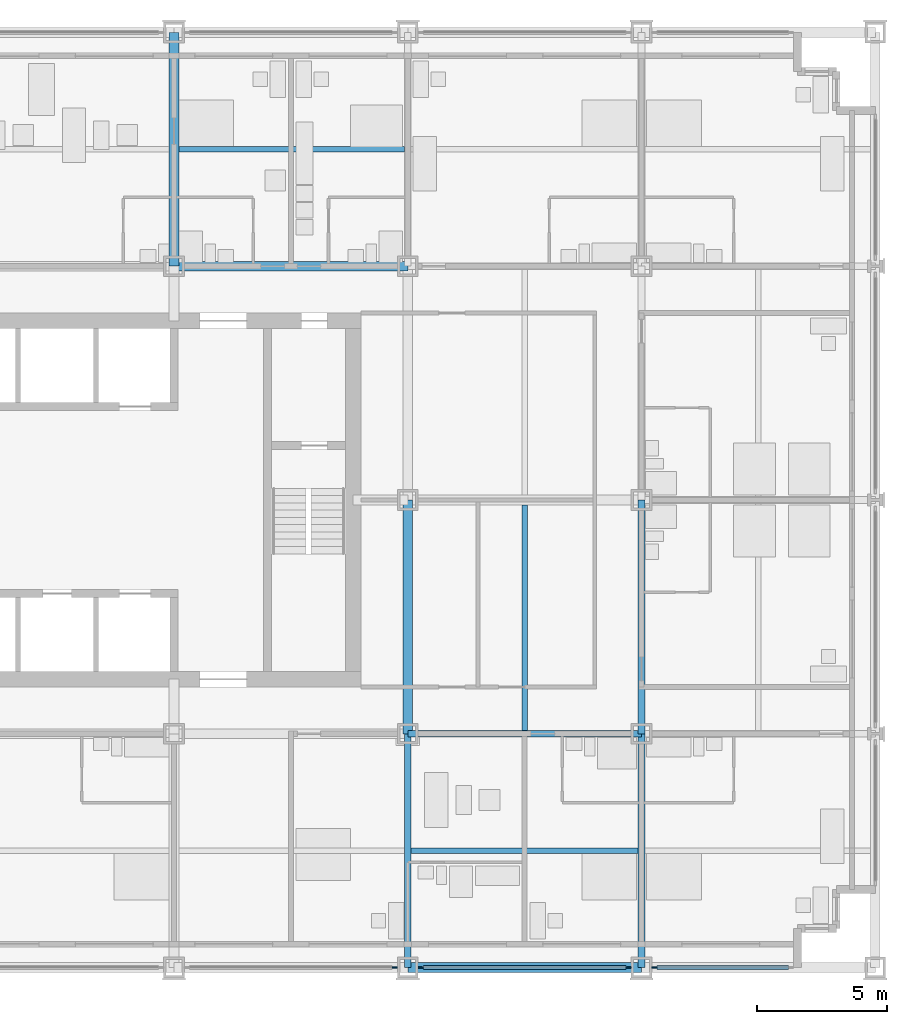
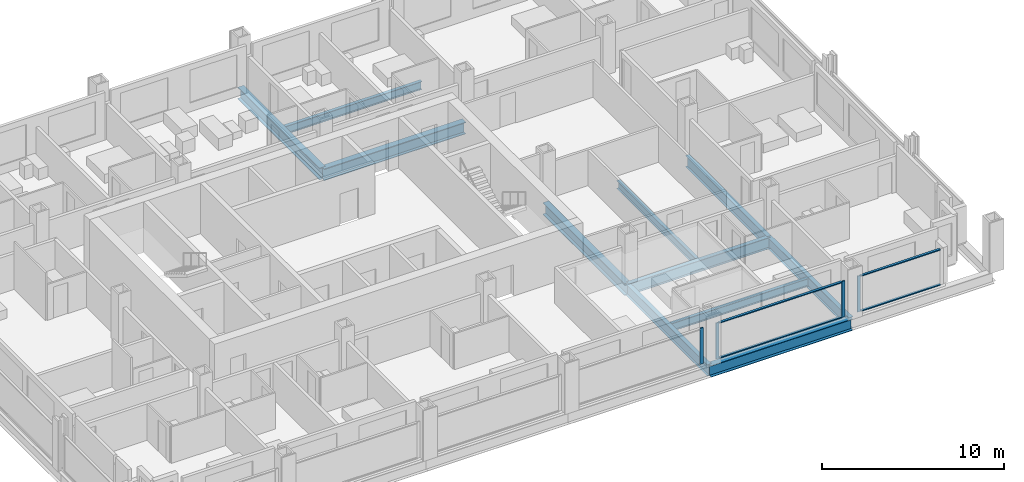
# One storey, part 5 of 18: 11 beams, 8 members, 3 elements without a shape of their own.
"""IFC4 building model written with IfcOpenShell, lengths in metres."""

import ifcopenshell
import ifcopenshell.guid

model = None  # the IFC model being written
_history = None  # IfcOwnerHistory: only IFC2X3 demands one
_inside = {}  # id of a spatial element -> (the spatial element, [elements in it])
_under = {}  # id of a project, library or spatial element -> (it, [spatial elements below it])
_declared = {}  # id of a project -> (the project, [libraries it declares])
_typed = {}  # id of a type object -> (the type object, [elements of that type])
_made_of = {}  # id of a material, layer set ... -> (it, [elements and type objects made of it])


def new_model(schema):
    """Start an empty IFC model of exactly this schema.

    Asked for "IFC4X3", IfcOpenShell would pick the latest addendum, in which some entities
    have other attributes; the version numbers below select the first issue.
    IFC2X3 requires an IfcOwnerHistory on every rooted entity: one is made here for all.
    """
    global model, _history
    if schema == "IFC4X3":
        model = ifcopenshell.file(schema_version=(4, 3, 0, 0))
    else:
        model = ifcopenshell.file(schema=schema)
    _inside.clear()
    _under.clear()
    _declared.clear()
    _typed.clear()
    _made_of.clear()
    _history = None
    if model.schema == "IFC2X3":
        org = make("IfcOrganization", Name="unknown")
        user = make(
            "IfcPersonAndOrganization",
            ThePerson=make("IfcPerson", FamilyName="unknown"),
            TheOrganization=org,
        )
        app = make(
            "IfcApplication",
            ApplicationDeveloper=org,
            Version="unknown",
            ApplicationFullName="unknown",
            ApplicationIdentifier="unknown",
        )
        _history = make(
            "IfcOwnerHistory",
            OwningUser=user,
            OwningApplication=app,
            ChangeAction="ADDED",
            CreationDate=0,
        )
    return model


def make(cls, **values):
    """One entity of the class cls with the attributes given. An attribute that is None is left unset."""
    return model.create_entity(
        cls, **{name: value for name, value in values.items() if value is not None}
    )


def rooted(cls, **values):
    """An entity with a GlobalId (a new one), such as an element, a storey or a relation."""
    return make(cls, GlobalId=ifcopenshell.guid.new(), OwnerHistory=_history, **values)


def si_unit(unit_type, name, prefix=None):
    """IfcSIUnit, for example si_unit("LENGTHUNIT", "METRE", prefix="MILLI")."""
    return make("IfcSIUnit", UnitType=unit_type, Prefix=prefix, Name=name)


def assignment(units):
    """IfcUnitAssignment: the units of a project."""
    return None if units is None else make("IfcUnitAssignment", Units=units)


def point(xyz):
    """IfcCartesianPoint."""
    return None if xyz is None else make("IfcCartesianPoint", Coordinates=xyz)


def direction(xyz):
    """IfcDirection."""
    return None if xyz is None else make("IfcDirection", DirectionRatios=xyz)


def frame(location, z_axis=None, x_axis=None):
    """IfcAxis2Placement3D, a coordinate frame: its origin and axes. An axis left out is left unset."""
    return make(
        "IfcAxis2Placement3D",
        Location=point(location),
        Axis=direction(z_axis),
        RefDirection=direction(x_axis),
    )


def frame_2d(location, x_axis=None):
    """IfcAxis2Placement2D, a coordinate frame in the plane: its origin and x axis."""
    return make(
        "IfcAxis2Placement2D", Location=point(location), RefDirection=direction(x_axis)
    )


def origin():
    """The frame at (0, 0, 0) with its axes left unset."""
    return frame((0.0, 0.0, 0.0))


def origin_2d():
    """The frame at (0, 0) in the plane with its x axis left unset."""
    return frame_2d((0.0, 0.0))


def place(relative_to, where):
    """IfcLocalPlacement: puts the frame where relative to a parent placement (None: the world)."""
    return make(
        "IfcLocalPlacement", PlacementRelTo=relative_to, RelativePlacement=where
    )


def context(
    kind, dimensions, precision=None, world=None, true_north=None, identifier=None
):
    """IfcGeometricRepresentationContext, for example the 3D "Model" context."""
    return make(
        "IfcGeometricRepresentationContext",
        ContextIdentifier=identifier,
        ContextType=kind,
        CoordinateSpaceDimension=dimensions,
        Precision=precision,
        WorldCoordinateSystem=world,
        TrueNorth=true_north,
    )


def subcontext(parent, identifier, kind, view, scale=None):
    """IfcGeometricRepresentationSubContext, for example "Body" below "Model"."""
    return make(
        "IfcGeometricRepresentationSubContext",
        ContextIdentifier=identifier,
        ContextType=kind,
        ParentContext=parent,
        TargetScale=scale,
        TargetView=view,
    )


def project(units=None, contexts=None):
    """IfcProject with its units and contexts."""
    return rooted(
        "IfcProject",
        Name="project",
        RepresentationContexts=contexts,
        UnitsInContext=assignment(units),
    )


def spatial(cls, under=None, at=None, **own):
    """A site, building, storey or space (cls), placed at a placement, below another one or the project."""
    s = rooted(cls, ObjectPlacement=at, **own)
    if under is not None:
        _under.setdefault(under.id(), (under, []))[1].append(s)
    return s


def profile(cls, at=None, kind="AREA", **sizes):
    """A parametric profile (cls). Its sizes go by their IFC names, for example OverallWidth=200.0."""
    return make(cls, ProfileType=kind, Position=at, **sizes)


def rectangle(**sizes):
    """IfcRectangleProfileDef."""
    return profile("IfcRectangleProfileDef", **sizes)


def i_section(**sizes):
    """IfcIShapeProfileDef."""
    return profile("IfcIShapeProfileDef", **sizes)


def extrude(swept, where, along, depth):
    """IfcExtrudedAreaSolid: the profile swept, set in the frame where, extruded along a direction by depth."""
    return make(
        "IfcExtrudedAreaSolid",
        SweptArea=swept,
        Position=where,
        ExtrudedDirection=direction(along),
        Depth=depth,
    )


def shape(context_of_items, identifier, shape_type, items):
    """IfcShapeRepresentation: the items that make up one representation, for example the "Body"."""
    return make(
        "IfcShapeRepresentation",
        ContextOfItems=context_of_items,
        RepresentationIdentifier=identifier,
        RepresentationType=shape_type,
        Items=items,
    )


def material(Name=None, Category=None):
    """IfcMaterial."""
    return make("IfcMaterial", Name=Name, Category=Category)


def material_profile(
    of_material, cross_section, Name=None, Category=None, Priority=None
):
    """IfcMaterialProfile: a cross section and its material."""
    return make(
        "IfcMaterialProfile",
        Name=Name,
        Material=of_material,
        Profile=cross_section,
        Priority=Priority,
        Category=Category,
    )


def profile_set(profiles, Name=None, composite=None):
    """IfcMaterialProfileSet."""
    return make(
        "IfcMaterialProfileSet",
        Name=Name,
        MaterialProfiles=profiles,
        CompositeProfile=composite,
    )


def made_of(thing, what):
    """Note that an element or type object is made of a material, layer set ...; save() writes the relation."""
    if what is not None:
        _made_of.setdefault(what.id(), (what, []))[1].append(thing)
    return thing


def type_object(cls, material=None, **own):
    """A type object (cls), such as IfcWallType, which elements share."""
    return made_of(rooted(cls, **own), material)


def element(
    cls,
    number,
    at=None,
    inside=None,
    cuts=None,
    type_object=None,
    material=None,
    context=None,
    identifier="Body",
    shape_type=None,
    held_by="IfcProductDefinitionShape",
    body=None,
    shapes=None,
    **own,
):
    """One element of the class cls, such as IfcWall. Its Tag is "e" and its number.

    at: its placement. inside: the storey or other place that contains it. cuts: it is an
    opening in that element (IfcRelVoidsElement). A single representation is given by context,
    identifier, shape_type and body (its items); several are given by shapes. held_by: the class
    of the entity that holds the representations. save() writes the other relations.
    """
    e = rooted(cls, Tag="e%d" % number, ObjectPlacement=at, **own)
    if body is not None:
        shapes = [shape(context, identifier, shape_type, body)]
    if shapes is not None:
        e.Representation = make(held_by, Representations=shapes)
    if inside is not None:
        _inside.setdefault(inside.id(), (inside, []))[1].append(e)
    if cuts is not None:
        rooted(
            "IfcRelVoidsElement", RelatingBuildingElement=cuts, RelatedOpeningElement=e
        )
    if type_object is not None:
        _typed.setdefault(type_object.id(), (type_object, []))[1].append(e)
    return made_of(e, material)


def aggregate(whole, parts):
    """IfcRelAggregates: a whole, such as a stair, and the parts it consists of."""
    return rooted("IfcRelAggregates", RelatingObject=whole, RelatedObjects=parts)


def save(model, path):
    """Write the relations noted so far, then the file.

    IfcRelAggregates (storeys below a building ...), IfcRelContainedInSpatialStructure (elements
    in a storey), IfcRelDefinesByType, IfcRelAssociatesMaterial and IfcRelDeclares: one each for
    every whole, place, type object, material and project.
    """
    for whole, parts in _under.values():
        aggregate(whole, parts)
    for where, things in _inside.values():
        rooted(
            "IfcRelContainedInSpatialStructure",
            RelatedElements=things,
            RelatingStructure=where,
        )
    for kind, things in _typed.values():
        rooted("IfcRelDefinesByType", RelatedObjects=things, RelatingType=kind)
    for what, things in _made_of.values():
        rooted("IfcRelAssociatesMaterial", RelatedObjects=things, RelatingMaterial=what)
    for by, libraries in _declared.values():
        rooted("IfcRelDeclares", RelatingContext=by, RelatedDefinitions=libraries)
    model.write(path)


model = new_model("IFC4")

# Units and contexts
model_context = context("Model", 3, precision=1e-05, world=origin(), true_north=direction((0.0, 1.0)))
body_context = subcontext(model_context, "Body", "Model", "MODEL_VIEW")
ifc_project = project(units=[si_unit("LENGTHUNIT", "METRE"), si_unit("AREAUNIT", "SQUARE_METRE"), si_unit("VOLUMEUNIT", "CUBIC_METRE"), si_unit("PLANEANGLEUNIT", "RADIAN"), si_unit("MASSUNIT", "GRAM", prefix="KILO")], contexts=[model_context])

# Site, building, storey
site_placement = place(None, origin())
site = spatial("IfcSite", under=ifc_project, at=site_placement, CompositionType="ELEMENT")
building_placement = place(site_placement, origin())
building = spatial("IfcBuilding", under=site, at=building_placement, Name="Loomwork Tower", CompositionType="ELEMENT")
storey_placement = place(building_placement, frame((0.0, 0.0, 31.39990234375)))
storey = spatial("IfcBuildingStorey", under=building, at=storey_placement, Name="L06", CompositionType="ELEMENT", Elevation=31.39990234375)

# Beams
ifc_material_1 = material(Name="Steel ASTM A992", Category="steel")
ifc_material_profile_1 = material_profile(ifc_material_1, i_section(OverallWidth=0.383544921875, OverallDepth=0.794921875, WebThickness=0.02099609375, FlangeThickness=0.0380859375, at=origin_2d()), Name="W30x235")
ifc_profile_set_1 = profile_set([ifc_material_profile_1], Name="Steel ASTM A992")
beam_type_1 = type_object("IfcBeamType", Name="CORE FLANK GIRDER W30x235", PredefinedType="BEAM", material=ifc_profile_set_1)
for number, where, z_axis, x_axis, name in (
    (1, (27.0, 27.0, -0.597412109375), (1.0, 0.0, 0.0), (0.0, 1.0, 0.0), "Core Flank Girder G/5-G/6 L06"),
    (2, (27.0, 27.0, -0.597412109375), (0.0, 1.0, 0.0), (-1.0, 0.0, 0.0), "Core Flank Girder G/5-H/5 L06"),
    (3, (36.0, 9.0, -0.597412109375), (0.0, 1.0, 0.0), (-1.0, 0.0, 0.0), "Core Flank Girder E/6-F/6 L06"),
):
    element("IfcBeam", number, at=place(storey_placement, frame(where, z_axis=z_axis, x_axis=x_axis)), inside=storey, type_object=beam_type_1, Name=name, PredefinedType="BEAM", context=body_context, shape_type="SweptSolid", body=[
        extrude(i_section(OverallWidth=0.383544921875, OverallDepth=0.794921875, WebThickness=0.02099609375, FlangeThickness=0.0380859375, at=origin_2d()), origin(), (0.0, 0.0, 1.0), 9.0),
    ])
ifc_material_2 = material(Name="Steel ASTM A992", Category="steel")
ifc_material_profile_2 = material_profile(ifc_material_2, i_section(OverallWidth=0.2666015625, OverallDepth=0.761962890625, WebThickness=0.014404296875, FlangeThickness=0.021484375, at=origin_2d()), Name="W30x116")
ifc_profile_set_2 = profile_set([ifc_material_profile_2], Name="Steel ASTM A992")
beam_type_2 = type_object("IfcBeamType", Name="FLOOR GIRDER W30x116", PredefinedType="BEAM", material=ifc_profile_set_2)
for number, where, z_axis, x_axis, name in (
    (4, (36.0, 9.0, -0.580810546875), (1.0, 0.0, 0.0), (0.0, 1.0, 0.0), "Floor Girder E/6-E/7 L06"),
    (5, (36.0, 0.0, -0.580810546875), (0.0, 1.0, 0.0), (-1.0, 0.0, 0.0), "Floor Girder D/6-E/6 L06"),
    (6, (45.0, 0.0, -0.580810546875), (0.0, 1.0, 0.0), (-1.0, 0.0, 0.0), "Floor Girder D/7-E/7 L06"),
    (7, (45.0, 9.0, -0.580810546875), (0.0, 1.0, 0.0), (-1.0, 0.0, 0.0), "Floor Girder E/7-F/7 L06"),
):
    element("IfcBeam", number, at=place(storey_placement, frame(where, z_axis=z_axis, x_axis=x_axis)), inside=storey, type_object=beam_type_2, Name=name, PredefinedType="BEAM", context=body_context, shape_type="SweptSolid", body=[
        extrude(i_section(OverallWidth=0.2666015625, OverallDepth=0.761962890625, WebThickness=0.014404296875, FlangeThickness=0.021484375, at=origin_2d()), origin(), (0.0, 0.0, 1.0), 9.0),
    ])
ifc_material_3 = material(Name="Steel ASTM A992", Category="steel")
ifc_material_profile_3 = material_profile(ifc_material_3, i_section(OverallWidth=0.2109375, OverallDepth=0.53857421875, WebThickness=0.011474609375, FlangeThickness=0.018798828125, at=origin_2d()), Name="W21x73")
ifc_profile_set_3 = profile_set([ifc_material_profile_3], Name="Steel ASTM A992")
beam_type_3 = type_object("IfcBeamType", Name="FLOOR JOIST W21x73", PredefinedType="JOIST", material=ifc_profile_set_3)
beam_1_placement = place(storey_placement, frame((27.19091796875, 31.5, -0.46923828125), z_axis=(1.0, 0.0, 0.0), x_axis=(0.0, 1.0, 0.0)))
element("IfcBeam", 8, at=beam_1_placement, inside=storey, type_object=beam_type_3, Name="Floor Joist 27.000,31.500-36.000,31.500 L06", PredefinedType="JOIST", context=body_context, shape_type="SweptSolid", body=[
    extrude(i_section(OverallWidth=0.2109375, OverallDepth=0.53857421875, WebThickness=0.011474609375, FlangeThickness=0.018798828125, at=origin_2d()), origin(), (0.0, 0.0, 1.0), 8.676025390625),
])
beam_2_placement = place(storey_placement, frame((36.133056640625, 4.5, -0.46923828125), z_axis=(1.0, 0.0, 0.0), x_axis=(0.0, 1.0, 0.0)))
element("IfcBeam", 9, at=beam_2_placement, inside=storey, type_object=beam_type_3, Name="Floor Joist 36.000,4.500-45.000,4.500 L06", PredefinedType="JOIST", context=body_context, shape_type="SweptSolid", body=[
    extrude(i_section(OverallWidth=0.2109375, OverallDepth=0.53857421875, WebThickness=0.011474609375, FlangeThickness=0.018798828125, at=origin_2d()), origin(), (0.0, 0.0, 1.0), 8.73388671875),
])
beam_3_placement = place(storey_placement, frame((40.5, 9.133056640625, -0.46923828125), z_axis=(0.0, 1.0, 0.0), x_axis=(-1.0, 0.0, 0.0)))
element("IfcBeam", 10, at=beam_3_placement, inside=storey, type_object=beam_type_3, Name="Floor Joist 40.500,9.000-40.500,18.000 L06", PredefinedType="JOIST", context=body_context, shape_type="SweptSolid", body=[
    extrude(i_section(OverallWidth=0.2109375, OverallDepth=0.53857421875, WebThickness=0.011474609375, FlangeThickness=0.018798828125, at=origin_2d()), origin(), (0.0, 0.0, 1.0), 8.676025390625),
])

# Curtain wall, member
ifc_material_4 = material(Name="Aluminium curtain wall frame", Category="aluminium")
curtain_wall_type = type_object("IfcCurtainWallType", Name="Outer skin glazing hotel", PredefinedType="NOTDEFINED", material=ifc_material_4)
curtain_wall_1_placement = place(storey_placement, origin())
curtain_wall_1 = element("IfcCurtainWall", 11, at=curtain_wall_1_placement, inside=storey, type_object=curtain_wall_type, Name="Outer skin glazing hotel cw/S-27", PredefinedType="NOTDEFINED")
ifc_material_5 = material(Name="Aluminium curtain wall frame", Category="aluminium")
ifc_material_profile_4 = material_profile(ifc_material_5, rectangle(XDim=0.06494140625, YDim=0.199951171875, at=origin_2d()), Name="AL 65x200")
ifc_profile_set_4 = profile_set([ifc_material_profile_4], Name="Aluminium curtain wall frame")
member_type_1 = type_object("IfcMemberType", Name="Outer skin glazing hotel mullion", PredefinedType="MULLION", material=ifc_profile_set_4)
member_1_placement = place(storey_placement, frame((35.5, 0.0, 0.0), z_axis=(0.0, 0.0, 1.0), x_axis=(0.0, 1.0, 0.0)))
member_1 = element("IfcMember", 12, at=member_1_placement, type_object=member_type_1, Name="CW1 mullion 2", PredefinedType="MULLION", context=body_context, shape_type="SweptSolid", body=[
    extrude(rectangle(XDim=0.06494140625, YDim=0.199951171875, at=origin_2d()), origin(), (0.0, 0.0, 1.0), 2.42041015625),
])
aggregate(curtain_wall_1, [member_1])

# Curtain wall, members
curtain_wall_2_placement = place(storey_placement, origin())
curtain_wall_2 = element("IfcCurtainWall", 13, at=curtain_wall_2_placement, inside=storey, type_object=curtain_wall_type, Name="Outer skin glazing hotel cw/S-36", PredefinedType="NOTDEFINED")
member_2_placement = place(storey_placement, frame((36.5, 0.0, 0.0), z_axis=(0.0, 0.0, 1.0), x_axis=(0.0, 1.0, 0.0)))
member_2 = element("IfcMember", 14, at=member_2_placement, type_object=member_type_1, Name="CW1 mullion 1", PredefinedType="MULLION", context=body_context, shape_type="SweptSolid", body=[
    extrude(rectangle(XDim=0.06494140625, YDim=0.199951171875, at=origin_2d()), origin(), (0.0, 0.0, 1.0), 2.42041015625),
])
member_3_placement = place(storey_placement, frame((44.5, 0.0, 0.0), z_axis=(0.0, 0.0, 1.0), x_axis=(0.0, 1.0, 0.0)))
member_3 = element("IfcMember", 15, at=member_3_placement, type_object=member_type_1, Name="CW1 mullion 2", PredefinedType="MULLION", context=body_context, shape_type="SweptSolid", body=[
    extrude(rectangle(XDim=0.06494140625, YDim=0.199951171875, at=origin_2d()), origin(), (0.0, 0.0, 1.0), 2.42041015625),
])

# Curtain wall, member
curtain_wall_3_placement = place(storey_placement, origin())
curtain_wall_3 = element("IfcCurtainWall", 16, at=curtain_wall_3_placement, inside=storey, type_object=curtain_wall_type, Name="Outer skin glazing hotel cw/S-45", PredefinedType="NOTDEFINED")
member_4_placement = place(storey_placement, frame((45.5, 0.0, 0.0), z_axis=(0.0, 0.0, 1.0), x_axis=(0.0, 1.0, 0.0)))
member_4 = element("IfcMember", 17, at=member_4_placement, type_object=member_type_1, Name="CW1 mullion 1", PredefinedType="MULLION", context=body_context, shape_type="SweptSolid", body=[
    extrude(rectangle(XDim=0.06494140625, YDim=0.199951171875, at=origin_2d()), origin(), (0.0, 0.0, 1.0), 2.42041015625),
])

# Member
ifc_material_6 = material(Name="Aluminium curtain wall frame", Category="aluminium")
ifc_material_profile_5 = material_profile(ifc_material_6, rectangle(XDim=0.14990234375, YDim=0.06494140625, at=origin_2d()), Name="AL 65x150")
ifc_profile_set_5 = profile_set([ifc_material_profile_5], Name="Aluminium curtain wall frame")
member_type_2 = type_object("IfcMemberType", Name="Outer skin glazing hotel transom", PredefinedType="USERDEFINED", material=ifc_profile_set_5)
member_5_placement = place(storey_placement, frame((36.60009765625, 0.0, 0.03271484375), z_axis=(1.0, 0.0, 0.0), x_axis=(0.0, 1.0, 0.0)))
member_5 = element("IfcMember", 18, at=member_5_placement, type_object=member_type_2, Name="CW1 transom 1.1", ObjectType="TRANSOM", PredefinedType="USERDEFINED", context=body_context, shape_type="SweptSolid", body=[
    extrude(rectangle(XDim=0.14990234375, YDim=0.06494140625, at=origin_2d()), origin(), (0.0, 0.0, 1.0), 7.7998046875),
])

member_6_placement = place(storey_placement, frame((36.60009765625, 0.0, 2.3876953125), z_axis=(1.0, 0.0, 0.0), x_axis=(0.0, 1.0, 0.0)))
member_6 = element("IfcMember", 19, at=member_6_placement, type_object=member_type_2, Name="CW1 transom 1.2", ObjectType="TRANSOM", PredefinedType="USERDEFINED", context=body_context, shape_type="SweptSolid", body=[
    extrude(rectangle(XDim=0.14990234375, YDim=0.06494140625, at=origin_2d()), origin(), (0.0, 0.0, 1.0), 7.7998046875),
])

aggregate(curtain_wall_2, [member_2, member_3, member_5, member_6])

member_7_placement = place(storey_placement, frame((45.60009765625, 0.0, 0.03271484375), z_axis=(1.0, 0.0, 0.0), x_axis=(0.0, 1.0, 0.0)))
member_7 = element("IfcMember", 20, at=member_7_placement, type_object=member_type_2, Name="CW1 transom 1.1", ObjectType="TRANSOM", PredefinedType="USERDEFINED", context=body_context, shape_type="SweptSolid", body=[
    extrude(rectangle(XDim=0.14990234375, YDim=0.06494140625, at=origin_2d()), origin(), (0.0, 0.0, 1.0), 5.0498046875),
])

member_8_placement = place(storey_placement, frame((45.60009765625, 0.0, 2.3876953125), z_axis=(1.0, 0.0, 0.0), x_axis=(0.0, 1.0, 0.0)))
member_8 = element("IfcMember", 21, at=member_8_placement, type_object=member_type_2, Name="CW1 transom 1.2", ObjectType="TRANSOM", PredefinedType="USERDEFINED", context=body_context, shape_type="SweptSolid", body=[
    extrude(rectangle(XDim=0.14990234375, YDim=0.06494140625, at=origin_2d()), origin(), (0.0, 0.0, 1.0), 5.0498046875),
])

aggregate(curtain_wall_3, [member_4, member_7, member_8])

# Beam
ifc_material_7 = material(Name="Steel ASTM A992", Category="steel")
ifc_material_profile_6 = material_profile(ifc_material_7, i_section(OverallWidth=0.381103515625, OverallDepth=0.77978515625, WebThickness=0.01806640625, FlangeThickness=0.0302734375, at=origin_2d()), Name="W30x191")
ifc_profile_set_6 = profile_set([ifc_material_profile_6], Name="Steel ASTM A992")
beam_type_4 = type_object("IfcBeamType", Name="SPANDREL GIRDER W30x191", PredefinedType="SPANDREL", material=ifc_profile_set_6)
beam_4_placement = place(storey_placement, frame((36.0, 0.0, -0.58984375), z_axis=(1.0, 0.0, 0.0), x_axis=(0.0, 1.0, 0.0)))
element("IfcBeam", 22, at=beam_4_placement, inside=storey, type_object=beam_type_4, Name="Spandrel Girder D/6-D/7 L06", PredefinedType="SPANDREL", context=body_context, shape_type="SweptSolid", body=[
    extrude(i_section(OverallWidth=0.381103515625, OverallDepth=0.77978515625, WebThickness=0.01806640625, FlangeThickness=0.0302734375, at=origin_2d()), origin(), (0.0, 0.0, 1.0), 9.0),
])

save(model, "model.ifc")
